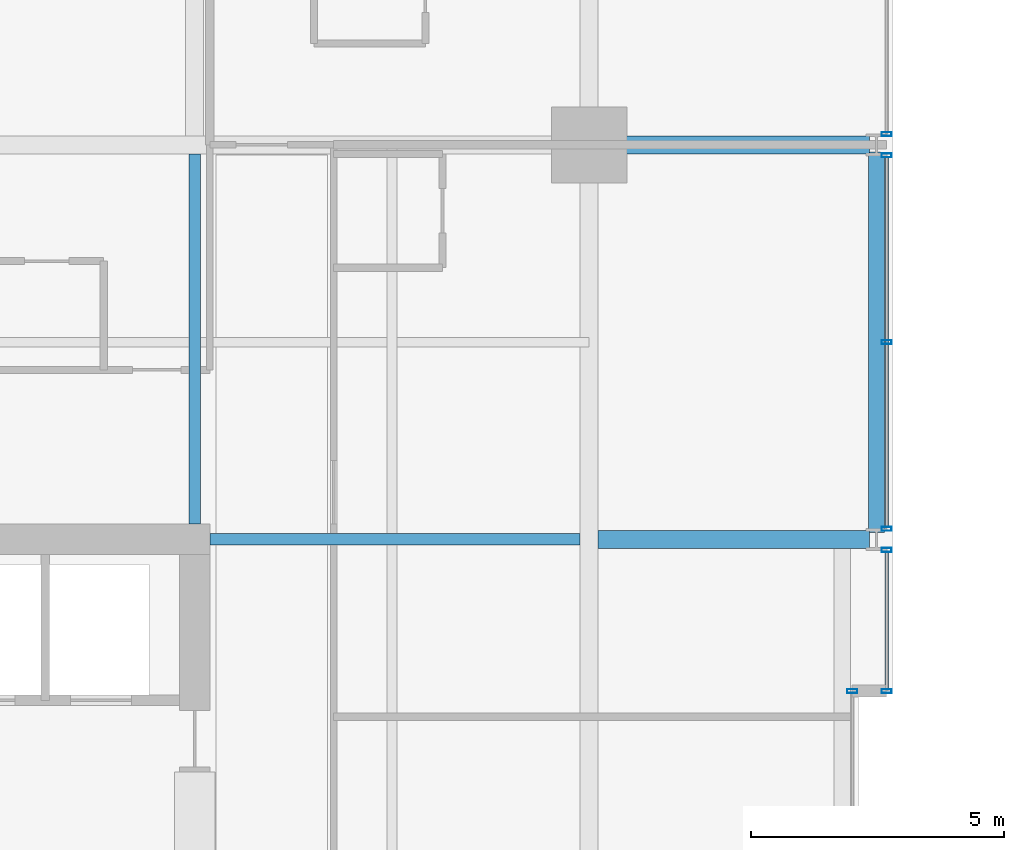
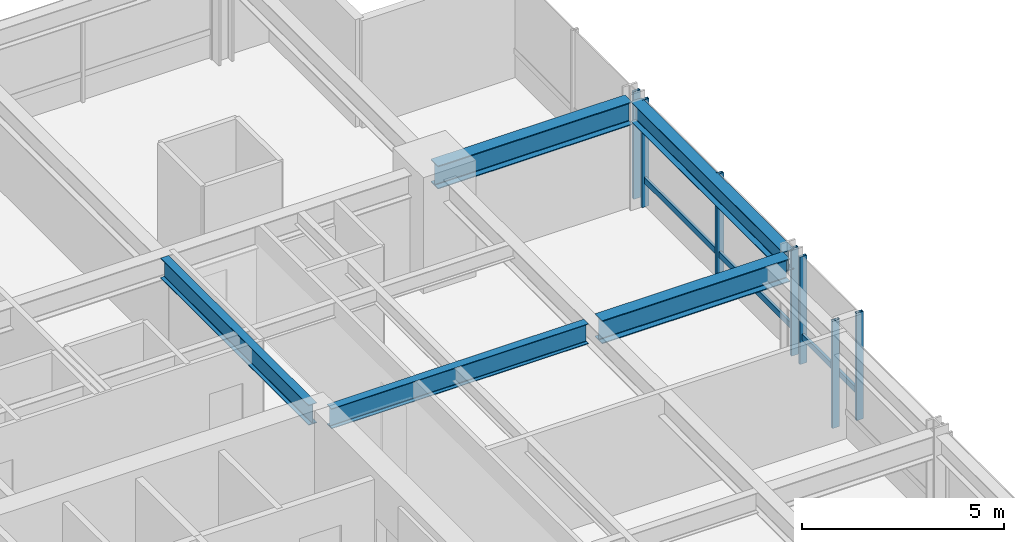
# One storey, part 23 of 34: 9 members, 5 beams, 4 elements without a shape of their own.
"""IFC4 building model written with IfcOpenShell, lengths in metres."""

import ifcopenshell
import ifcopenshell.guid

model = None  # the IFC model being written
_history = None  # IfcOwnerHistory: only IFC2X3 demands one
_inside = {}  # id of a spatial element -> (the spatial element, [elements in it])
_under = {}  # id of a project, library or spatial element -> (it, [spatial elements below it])
_declared = {}  # id of a project -> (the project, [libraries it declares])
_typed = {}  # id of a type object -> (the type object, [elements of that type])
_made_of = {}  # id of a material, layer set ... -> (it, [elements and type objects made of it])


def new_model(schema):
    """Start an empty IFC model of exactly this schema.

    Asked for "IFC4X3", IfcOpenShell would pick the latest addendum, in which some entities
    have other attributes; the version numbers below select the first issue.
    IFC2X3 requires an IfcOwnerHistory on every rooted entity: one is made here for all.
    """
    global model, _history
    if schema == "IFC4X3":
        model = ifcopenshell.file(schema_version=(4, 3, 0, 0))
    else:
        model = ifcopenshell.file(schema=schema)
    _inside.clear()
    _under.clear()
    _declared.clear()
    _typed.clear()
    _made_of.clear()
    _history = None
    if model.schema == "IFC2X3":
        org = make("IfcOrganization", Name="unknown")
        user = make(
            "IfcPersonAndOrganization",
            ThePerson=make("IfcPerson", FamilyName="unknown"),
            TheOrganization=org,
        )
        app = make(
            "IfcApplication",
            ApplicationDeveloper=org,
            Version="unknown",
            ApplicationFullName="unknown",
            ApplicationIdentifier="unknown",
        )
        _history = make(
            "IfcOwnerHistory",
            OwningUser=user,
            OwningApplication=app,
            ChangeAction="ADDED",
            CreationDate=0,
        )
    return model


def make(cls, **values):
    """One entity of the class cls with the attributes given. An attribute that is None is left unset."""
    return model.create_entity(
        cls, **{name: value for name, value in values.items() if value is not None}
    )


def rooted(cls, **values):
    """An entity with a GlobalId (a new one), such as an element, a storey or a relation."""
    return make(cls, GlobalId=ifcopenshell.guid.new(), OwnerHistory=_history, **values)


def si_unit(unit_type, name, prefix=None):
    """IfcSIUnit, for example si_unit("LENGTHUNIT", "METRE", prefix="MILLI")."""
    return make("IfcSIUnit", UnitType=unit_type, Prefix=prefix, Name=name)


def assignment(units):
    """IfcUnitAssignment: the units of a project."""
    return None if units is None else make("IfcUnitAssignment", Units=units)


def point(xyz):
    """IfcCartesianPoint."""
    return None if xyz is None else make("IfcCartesianPoint", Coordinates=xyz)


def direction(xyz):
    """IfcDirection."""
    return None if xyz is None else make("IfcDirection", DirectionRatios=xyz)


def frame(location, z_axis=None, x_axis=None):
    """IfcAxis2Placement3D, a coordinate frame: its origin and axes. An axis left out is left unset."""
    return make(
        "IfcAxis2Placement3D",
        Location=point(location),
        Axis=direction(z_axis),
        RefDirection=direction(x_axis),
    )


def frame_2d(location, x_axis=None):
    """IfcAxis2Placement2D, a coordinate frame in the plane: its origin and x axis."""
    return make(
        "IfcAxis2Placement2D", Location=point(location), RefDirection=direction(x_axis)
    )


def origin():
    """The frame at (0, 0, 0) with its axes left unset."""
    return frame((0.0, 0.0, 0.0))


def origin_2d():
    """The frame at (0, 0) in the plane with its x axis left unset."""
    return frame_2d((0.0, 0.0))


def place(relative_to, where):
    """IfcLocalPlacement: puts the frame where relative to a parent placement (None: the world)."""
    return make(
        "IfcLocalPlacement", PlacementRelTo=relative_to, RelativePlacement=where
    )


def context(
    kind, dimensions, precision=None, world=None, true_north=None, identifier=None
):
    """IfcGeometricRepresentationContext, for example the 3D "Model" context."""
    return make(
        "IfcGeometricRepresentationContext",
        ContextIdentifier=identifier,
        ContextType=kind,
        CoordinateSpaceDimension=dimensions,
        Precision=precision,
        WorldCoordinateSystem=world,
        TrueNorth=true_north,
    )


def subcontext(parent, identifier, kind, view, scale=None):
    """IfcGeometricRepresentationSubContext, for example "Body" below "Model"."""
    return make(
        "IfcGeometricRepresentationSubContext",
        ContextIdentifier=identifier,
        ContextType=kind,
        ParentContext=parent,
        TargetScale=scale,
        TargetView=view,
    )


def project(units=None, contexts=None):
    """IfcProject with its units and contexts."""
    return rooted(
        "IfcProject",
        Name="project",
        RepresentationContexts=contexts,
        UnitsInContext=assignment(units),
    )


def spatial(cls, under=None, at=None, **own):
    """A site, building, storey or space (cls), placed at a placement, below another one or the project."""
    s = rooted(cls, ObjectPlacement=at, **own)
    if under is not None:
        _under.setdefault(under.id(), (under, []))[1].append(s)
    return s


def profile(cls, at=None, kind="AREA", **sizes):
    """A parametric profile (cls). Its sizes go by their IFC names, for example OverallWidth=200.0."""
    return make(cls, ProfileType=kind, Position=at, **sizes)


def hollow_rectangle(**sizes):
    """IfcRectangleHollowProfileDef."""
    return profile("IfcRectangleHollowProfileDef", **sizes)


def i_section(**sizes):
    """IfcIShapeProfileDef."""
    return profile("IfcIShapeProfileDef", **sizes)


def extrude(swept, where, along, depth):
    """IfcExtrudedAreaSolid: the profile swept, set in the frame where, extruded along a direction by depth."""
    return make(
        "IfcExtrudedAreaSolid",
        SweptArea=swept,
        Position=where,
        ExtrudedDirection=direction(along),
        Depth=depth,
    )


def shape(context_of_items, identifier, shape_type, items):
    """IfcShapeRepresentation: the items that make up one representation, for example the "Body"."""
    return make(
        "IfcShapeRepresentation",
        ContextOfItems=context_of_items,
        RepresentationIdentifier=identifier,
        RepresentationType=shape_type,
        Items=items,
    )


def material(Name=None, Category=None):
    """IfcMaterial."""
    return make("IfcMaterial", Name=Name, Category=Category)


def layer(
    of_material, thickness, ventilated=None, Name=None, Category=None, Priority=None
):
    """IfcMaterialLayer: one layer of a wall or slab, of a material (None: an air gap)."""
    return make(
        "IfcMaterialLayer",
        Material=of_material,
        LayerThickness=thickness,
        IsVentilated=ventilated,
        Name=Name,
        Category=Category,
        Priority=Priority,
    )


def layer_set(layers, Name=None):
    """IfcMaterialLayerSet."""
    return make("IfcMaterialLayerSet", MaterialLayers=layers, LayerSetName=Name)


def material_profile(
    of_material, cross_section, Name=None, Category=None, Priority=None
):
    """IfcMaterialProfile: a cross section and its material."""
    return make(
        "IfcMaterialProfile",
        Name=Name,
        Material=of_material,
        Profile=cross_section,
        Priority=Priority,
        Category=Category,
    )


def profile_set(profiles, Name=None, composite=None):
    """IfcMaterialProfileSet."""
    return make(
        "IfcMaterialProfileSet",
        Name=Name,
        MaterialProfiles=profiles,
        CompositeProfile=composite,
    )


def made_of(thing, what):
    """Note that an element or type object is made of a material, layer set ...; save() writes the relation."""
    if what is not None:
        _made_of.setdefault(what.id(), (what, []))[1].append(thing)
    return thing


def type_object(cls, material=None, **own):
    """A type object (cls), such as IfcWallType, which elements share."""
    return made_of(rooted(cls, **own), material)


def element(
    cls,
    number,
    at=None,
    inside=None,
    cuts=None,
    type_object=None,
    material=None,
    context=None,
    identifier="Body",
    shape_type=None,
    held_by="IfcProductDefinitionShape",
    body=None,
    shapes=None,
    **own,
):
    """One element of the class cls, such as IfcWall. Its Tag is "e" and its number.

    at: its placement. inside: the storey or other place that contains it. cuts: it is an
    opening in that element (IfcRelVoidsElement). A single representation is given by context,
    identifier, shape_type and body (its items); several are given by shapes. held_by: the class
    of the entity that holds the representations. save() writes the other relations.
    """
    e = rooted(cls, Tag="e%d" % number, ObjectPlacement=at, **own)
    if body is not None:
        shapes = [shape(context, identifier, shape_type, body)]
    if shapes is not None:
        e.Representation = make(held_by, Representations=shapes)
    if inside is not None:
        _inside.setdefault(inside.id(), (inside, []))[1].append(e)
    if cuts is not None:
        rooted(
            "IfcRelVoidsElement", RelatingBuildingElement=cuts, RelatedOpeningElement=e
        )
    if type_object is not None:
        _typed.setdefault(type_object.id(), (type_object, []))[1].append(e)
    return made_of(e, material)


def aggregate(whole, parts):
    """IfcRelAggregates: a whole, such as a stair, and the parts it consists of."""
    return rooted("IfcRelAggregates", RelatingObject=whole, RelatedObjects=parts)


def save(model, path):
    """Write the relations noted so far, then the file.

    IfcRelAggregates (storeys below a building ...), IfcRelContainedInSpatialStructure (elements
    in a storey), IfcRelDefinesByType, IfcRelAssociatesMaterial and IfcRelDeclares: one each for
    every whole, place, type object, material and project.
    """
    for whole, parts in _under.values():
        aggregate(whole, parts)
    for where, things in _inside.values():
        rooted(
            "IfcRelContainedInSpatialStructure",
            RelatedElements=things,
            RelatingStructure=where,
        )
    for kind, things in _typed.values():
        rooted("IfcRelDefinesByType", RelatedObjects=things, RelatingType=kind)
    for what, things in _made_of.values():
        rooted("IfcRelAssociatesMaterial", RelatedObjects=things, RelatingMaterial=what)
    for by, libraries in _declared.values():
        rooted("IfcRelDeclares", RelatingContext=by, RelatedDefinitions=libraries)
    model.write(path)


model = new_model("IFC4")

# Units and contexts
model_context = context("Model", 3, precision=1e-05, world=origin(), true_north=direction((0.0, 1.0)))
body_context = subcontext(model_context, "Body", "Model", "MODEL_VIEW")
ifc_project = project(units=[si_unit("LENGTHUNIT", "METRE"), si_unit("AREAUNIT", "SQUARE_METRE"), si_unit("VOLUMEUNIT", "CUBIC_METRE"), si_unit("PLANEANGLEUNIT", "RADIAN"), si_unit("MASSUNIT", "GRAM", prefix="KILO")], contexts=[model_context])

# Site, building, storey
site_placement = place(None, origin())
site = spatial("IfcSite", under=ifc_project, at=site_placement, CompositionType="ELEMENT")
building_placement = place(site_placement, origin())
building = spatial("IfcBuilding", under=site, at=building_placement, Name="Drelvath Grand Hotel", CompositionType="ELEMENT")
storey_placement = place(building_placement, frame((0.0, 0.0, 133.800048828125)))
storey = spatial("IfcBuildingStorey", under=building, at=storey_placement, Name="L34", CompositionType="ELEMENT", Elevation=133.800048828125)

# Curtain wall, member
ifc_material_1 = material(Name="Champagne Bronze Anodised Aluminium Frame", Category="aluminium")
ifc_layer = layer(ifc_material_1, 0.199951171875)
ifc_layer_set = layer_set([ifc_layer], Name="Champagne Bronze Anodised Aluminium Frame")
curtain_wall_type = type_object("IfcCurtainWallType", Name="Stick Curtain Wall CW-03 Champagne Bronze Mid-Rise", PredefinedType="NOTDEFINED", material=ifc_layer_set)
curtain_wall_1_placement = place(storey_placement, origin())
curtain_wall_1 = element("IfcCurtainWall", 1, at=curtain_wall_1_placement, inside=storey, type_object=curtain_wall_type, Name="L34 CW-03 Curtain Wall CW03-L34-EN1", PredefinedType="NOTDEFINED")
ifc_material_profile_1 = material_profile(ifc_material_1, hollow_rectangle(XDim=0.074951171875, YDim=0.179931640625, WallThickness=0.0048828125, at=origin_2d()), Name="HSS180X75X5")
ifc_profile_set_1 = profile_set([ifc_material_profile_1], Name="Champagne Bronze Anodised Aluminium Frame")
member_type_1 = type_object("IfcMemberType", Name="Curtain Wall Horizontal Transom CW-03 HSS180X75X5", PredefinedType="USERDEFINED", material=ifc_profile_set_1)
member_1_placement = place(storey_placement, frame((22.080078125, 35.150634765625, 0.81005859375), z_axis=(0.0, -1.0, 0.0), x_axis=(1.0, 0.0, 0.0)))
member_1 = element("IfcMember", 2, at=member_1_placement, type_object=member_type_1, Name="CW03-L34-EN1 Sill Transom", ObjectType="TRANSOM", PredefinedType="USERDEFINED", context=body_context, shape_type="SweptSolid", body=[
    extrude(hollow_rectangle(XDim=0.074951171875, YDim=0.179931640625, WallThickness=0.0048828125, at=origin_2d()), origin(), (0.0, 0.0, 1.0), 2.710693359375),
])

curtain_wall_2_placement = place(storey_placement, origin())
curtain_wall_2 = element("IfcCurtainWall", 3, at=curtain_wall_2_placement, inside=storey, type_object=curtain_wall_type, Name="L34 CW-03 Curtain Wall CW03-L34-EN2", PredefinedType="NOTDEFINED")
member_2_placement = place(storey_placement, frame((22.080078125, 42.95068359375, 0.81005859375), z_axis=(0.0, -1.0, 0.0), x_axis=(1.0, 0.0, 0.0)))
member_2 = element("IfcMember", 4, at=member_2_placement, type_object=member_type_1, Name="CW03-L34-EN2 Sill Transom", ObjectType="TRANSOM", PredefinedType="USERDEFINED", context=body_context, shape_type="SweptSolid", body=[
    extrude(hollow_rectangle(XDim=0.074951171875, YDim=0.179931640625, WallThickness=0.0048828125, at=origin_2d()), origin(), (0.0, 0.0, 1.0), 7.30126953125),
])

# Member
ifc_material_profile_2 = material_profile(ifc_material_1, hollow_rectangle(XDim=0.080078125, YDim=0.199951171875, WallThickness=0.0048828125, at=origin_2d()), Name="HSS200X80X5")
ifc_profile_set_2 = profile_set([ifc_material_profile_2], Name="Champagne Bronze Anodised Aluminium Frame")
member_type_2 = type_object("IfcMemberType", Name="Curtain Wall Vertical Mullion CW-03 HSS200X80X5", PredefinedType="MULLION", material=ifc_profile_set_2)
member_3_placement = place(storey_placement, frame((22.080078125, 35.190673828125, 0.0), z_axis=(0.0, 0.0, 1.0), x_axis=(0.0, 1.0, 0.0)))
member_3 = element("IfcMember", 5, at=member_3_placement, type_object=member_type_2, Name="CW03-L34-EN1 Mullion 1", PredefinedType="MULLION", context=body_context, shape_type="SweptSolid", body=[
    extrude(hollow_rectangle(XDim=0.080078125, YDim=0.199951171875, WallThickness=0.0048828125, at=origin_2d()), origin(), (0.0, 0.0, 1.0), 3.239990234375),
])

member_4_placement = place(storey_placement, frame((22.080078125, 32.39990234375, 0.0), z_axis=(0.0, 0.0, 1.0), x_axis=(0.0, 1.0, 0.0)))
member_4 = element("IfcMember", 6, at=member_4_placement, type_object=member_type_2, Name="CW03-L34-EN1 Mullion 2", PredefinedType="MULLION", context=body_context, shape_type="SweptSolid", body=[
    extrude(hollow_rectangle(XDim=0.080078125, YDim=0.199951171875, WallThickness=0.0048828125, at=origin_2d()), origin(), (0.0, 0.0, 1.0), 3.239990234375),
])

aggregate(curtain_wall_1, [member_3, member_4, member_1])

member_5_placement = place(storey_placement, frame((22.080078125, 42.990478515625, 0.0), z_axis=(0.0, 0.0, 1.0), x_axis=(0.0, 1.0, 0.0)))
member_5 = element("IfcMember", 7, at=member_5_placement, type_object=member_type_2, Name="CW03-L34-EN2 Mullion 1", PredefinedType="MULLION", context=body_context, shape_type="SweptSolid", body=[
    extrude(hollow_rectangle(XDim=0.080078125, YDim=0.199951171875, WallThickness=0.0048828125, at=origin_2d()), origin(), (0.0, 0.0, 1.0), 3.239990234375),
])

member_6_placement = place(storey_placement, frame((22.080078125, 39.300048828125, 0.0), z_axis=(0.0, 0.0, 1.0), x_axis=(0.0, 1.0, 0.0)))
member_6 = element("IfcMember", 8, at=member_6_placement, type_object=member_type_2, Name="CW03-L34-EN2 Mullion 2", PredefinedType="MULLION", context=body_context, shape_type="SweptSolid", body=[
    extrude(hollow_rectangle(XDim=0.080078125, YDim=0.199951171875, WallThickness=0.0048828125, at=origin_2d()), origin(), (0.0, 0.0, 1.0), 3.239990234375),
])

member_7_placement = place(storey_placement, frame((22.080078125, 35.609375, 0.0), z_axis=(0.0, 0.0, 1.0), x_axis=(0.0, 1.0, 0.0)))
member_7 = element("IfcMember", 9, at=member_7_placement, type_object=member_type_2, Name="CW03-L34-EN2 Mullion 3", PredefinedType="MULLION", context=body_context, shape_type="SweptSolid", body=[
    extrude(hollow_rectangle(XDim=0.080078125, YDim=0.199951171875, WallThickness=0.0048828125, at=origin_2d()), origin(), (0.0, 0.0, 1.0), 3.239990234375),
])

aggregate(curtain_wall_2, [member_5, member_6, member_7, member_2])

# Curtain wall, member
curtain_wall_3_placement = place(storey_placement, origin())
curtain_wall_3 = element("IfcCurtainWall", 10, at=curtain_wall_3_placement, inside=storey, type_object=curtain_wall_type, Name="L34 CW-03 Curtain Wall CW03-L34-EN3", PredefinedType="NOTDEFINED")
member_8_placement = place(storey_placement, frame((22.080078125, 43.409423828125, 0.0), z_axis=(0.0, 0.0, 1.0), x_axis=(0.0, 1.0, 0.0)))
member_8 = element("IfcMember", 11, at=member_8_placement, type_object=member_type_2, Name="CW03-L34-EN3 Mullion 3", PredefinedType="MULLION", context=body_context, shape_type="SweptSolid", body=[
    extrude(hollow_rectangle(XDim=0.080078125, YDim=0.199951171875, WallThickness=0.0048828125, at=origin_2d()), origin(), (0.0, 0.0, 1.0), 3.239990234375),
])
aggregate(curtain_wall_3, [member_8])

curtain_wall_4_placement = place(storey_placement, origin())
curtain_wall_4 = element("IfcCurtainWall", 12, at=curtain_wall_4_placement, inside=storey, type_object=curtain_wall_type, Name="L34 CW-03 Curtain Wall CW03-L34-EM2", PredefinedType="NOTDEFINED")
member_9_placement = place(storey_placement, frame((21.39990234375, 32.39990234375, 0.0), z_axis=(0.0, 0.0, 1.0), x_axis=(0.0, 1.0, 0.0)))
member_9 = element("IfcMember", 13, at=member_9_placement, type_object=member_type_2, Name="CW03-L34-EM2 Mullion 1", PredefinedType="MULLION", context=body_context, shape_type="SweptSolid", body=[
    extrude(hollow_rectangle(XDim=0.080078125, YDim=0.199951171875, WallThickness=0.0048828125, at=origin_2d()), origin(), (0.0, 0.0, 1.0), 3.239990234375),
])
aggregate(curtain_wall_4, [member_9])

# Beams
ifc_material_2 = material(Name="Steel ASTM A992 Gr 50", Category="steel")
ifc_material_profile_3 = material_profile(ifc_material_2, i_section(OverallWidth=0.323974609375, OverallDepth=0.611083984375, WebThickness=0.0126953125, FlangeThickness=0.01904296875, FilletRadius=0.02197265625, at=origin_2d()), Name="W24X104")
ifc_profile_set_3 = profile_set([ifc_material_profile_3], Name="Steel ASTM A992 Gr 50")
beam_type_1 = type_object("IfcBeamType", Name="Perimeter Spandrel Beam W24X104", PredefinedType="SPANDREL", material=ifc_profile_set_3)
beam_1_placement = place(storey_placement, frame((21.8798828125, 35.5400390625, 2.934326171875), z_axis=(0.0, 1.0, 0.0), x_axis=(-1.0, 0.0, 0.0)))
element("IfcBeam", 14, at=beam_1_placement, inside=storey, type_object=beam_type_1, Name="L34 Spandrel East N", PredefinedType="SPANDREL", context=body_context, shape_type="SweptSolid", body=[
    extrude(i_section(OverallWidth=0.323974609375, OverallDepth=0.611083984375, WebThickness=0.0126953125, FlangeThickness=0.01904296875, FilletRadius=0.02197265625, at=origin_2d()), origin(), (0.0, 0.0, 1.0), 7.52001953125),
])
ifc_material_profile_4 = material_profile(ifc_material_2, i_section(OverallWidth=0.228271484375, OverallDepth=0.607666015625, WebThickness=0.01123046875, FlangeThickness=0.017333984375, FilletRadius=0.02001953125, at=origin_2d()), Name="W24X76")
ifc_profile_set_4 = profile_set([ifc_material_profile_4], Name="Steel ASTM A992 Gr 50")
beam_type_2 = type_object("IfcBeamType", Name="Primary Floor Girder W24X76", PredefinedType="BEAM", material=ifc_profile_set_4)
for number, where, z_axis, x_axis, name in (
    (15, (8.699951171875, 35.39990234375, 2.93603515625), (1.0, 0.0, 0.0), (0.0, 1.0, 0.0), "L34 East Core Tie F"),
    (16, (8.39990234375, 35.699951171875, 2.93603515625), (0.0, 1.0, 0.0), (-1.0, 0.0, 0.0), "L34 North Core Tie 6"),
):
    element("IfcBeam", number, at=place(storey_placement, frame(where, z_axis=z_axis, x_axis=x_axis)), inside=storey, type_object=beam_type_2, Name=name, PredefinedType="BEAM", context=body_context, shape_type="SweptSolid", body=[
        extrude(i_section(OverallWidth=0.228271484375, OverallDepth=0.607666015625, WebThickness=0.01123046875, FlangeThickness=0.017333984375, FilletRadius=0.02001953125, at=origin_2d()), origin(), (0.0, 0.0, 1.0), 7.32275390625),
    ])
ifc_material_profile_5 = material_profile(ifc_material_2, i_section(OverallWidth=0.354736328125, OverallDepth=0.695556640625, WebThickness=0.015380859375, FlangeThickness=0.025146484375, FilletRadius=0.02392578125, at=origin_2d()), Name="W27X146")
ifc_profile_set_5 = profile_set([ifc_material_profile_5], Name="Steel ASTM A992 Gr 50")
beam_type_3 = type_object("IfcBeamType", Name="Primary Floor Girder W27X146", PredefinedType="BEAM", material=ifc_profile_set_5)
beam_2_placement = place(storey_placement, frame((16.199951171875, 43.199951171875, 2.892333984375), z_axis=(1.0, 0.0, 0.0), x_axis=(0.0, 1.0, 0.0)))
element("IfcBeam", 17, at=beam_2_placement, inside=storey, type_object=beam_type_3, Name="L34 East Grid Girder G", PredefinedType="BEAM", context=body_context, shape_type="SweptSolid", body=[
    extrude(i_section(OverallWidth=0.354736328125, OverallDepth=0.695556640625, WebThickness=0.015380859375, FlangeThickness=0.025146484375, FilletRadius=0.02392578125, at=origin_2d()), origin(), (0.0, 0.0, 1.0), 5.5400390625),
])
beam_3_placement = place(storey_placement, frame((16.37744140625, 35.39990234375, 2.892333984375), z_axis=(1.0, 0.0, 0.0), x_axis=(0.0, 1.0, 0.0)))
element("IfcBeam", 18, at=beam_3_placement, inside=storey, type_object=beam_type_3, Name="L34 East Wing Girder F", PredefinedType="BEAM", context=body_context, shape_type="SweptSolid", body=[
    extrude(i_section(OverallWidth=0.354736328125, OverallDepth=0.695556640625, WebThickness=0.015380859375, FlangeThickness=0.025146484375, FilletRadius=0.02392578125, at=origin_2d()), origin(), (0.0, 0.0, 1.0), 5.362548828125),
])

save(model, "model.ifc")
